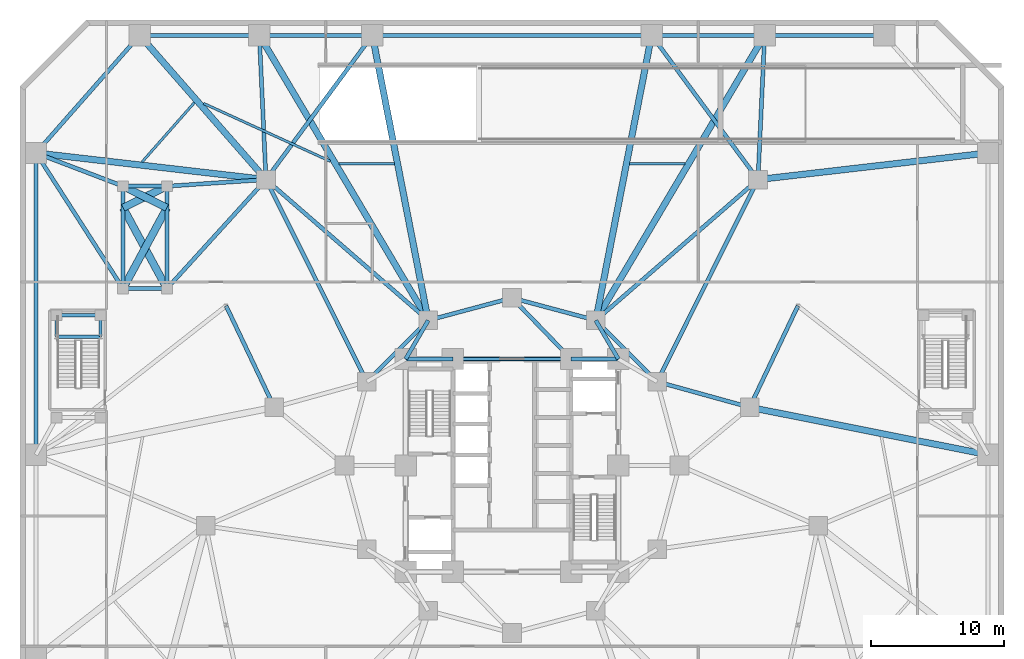
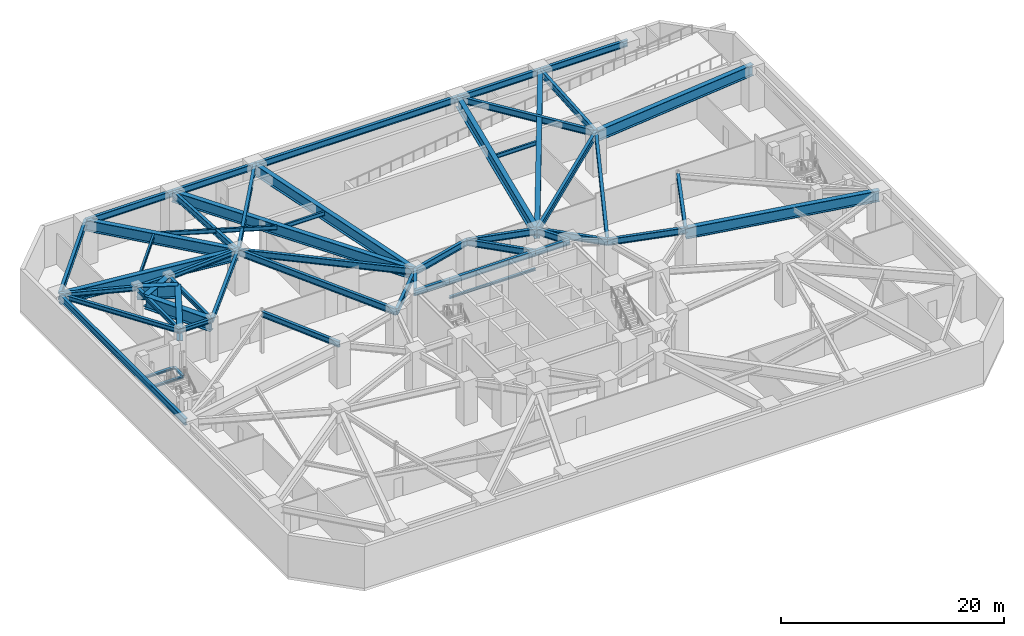
# One storey, part 9 of 18: 57 beams.
"""IFC4 building model written with IfcOpenShell, lengths in metres."""

from ifc_helpers import new_model, si_unit, direction, frame, origin, origin_2d, place, context, subcontext, project, spatial, i_section, extrude, material, material_profile, profile_set, type_object, element, save


model = new_model("IFC4")

# Units and contexts
model_context = context("Model", 3, precision=1e-05, world=origin(), true_north=direction((0.0, 1.0)))
body_context = subcontext(model_context, "Body", "Model", "MODEL_VIEW")
ifc_project = project(units=[si_unit("LENGTHUNIT", "METRE"), si_unit("AREAUNIT", "SQUARE_METRE"), si_unit("VOLUMEUNIT", "CUBIC_METRE"), si_unit("PLANEANGLEUNIT", "RADIAN"), si_unit("MASSUNIT", "GRAM", prefix="KILO")], contexts=[model_context])

# Site, building, storey
site_placement = place(None, origin())
site = spatial("IfcSite", under=ifc_project, at=site_placement, CompositionType="ELEMENT")
building_placement = place(site_placement, origin())
building = spatial("IfcBuilding", under=site, at=building_placement, Name="Terralouvre Media Tower", CompositionType="ELEMENT")
storey_placement = place(building_placement, frame((0.0, 0.0, -4.800048828125)))
storey = spatial("IfcBuildingStorey", under=building, at=storey_placement, Name="B01", CompositionType="ELEMENT", Elevation=-4.800048828125)

# Beams
ifc_material_1 = material(Name="Structural steel S355J2", Category="steel")
ifc_material_profile_1 = material_profile(ifc_material_1, i_section(OverallWidth=0.18994140625, OverallDepth=0.449951171875, WebThickness=0.009521484375, FlangeThickness=0.0146484375, at=origin_2d()), Name="IPE 450")
ifc_profile_set_1 = profile_set([ifc_material_profile_1], Name="Structural steel S355J2")
beam_type_1 = type_object("IfcBeamType", Name="Composite Floor Joist J-IPE450 (IPE 450)", PredefinedType="JOIST", material=ifc_profile_set_1)
for number, where, z_axis, x_axis, name in (
    (1, (13.008056640625, 22.702880859375, 4.324951171875), (-1.0, 0.0, 0.0), (0.0, -1.0, 0.0), "B01 Framing Beam JT-B01-11"),
    (2, (-8.8525390625, 22.702880859375, 4.324951171875), (-1.0, 0.0, 0.0), (0.0, -1.0, 0.0), "B01 Framing Beam JT-B01-13"),
):
    element("IfcBeam", number, at=place(storey_placement, frame(where, z_axis=z_axis, x_axis=x_axis)), inside=storey, type_object=beam_type_1, Name=name, PredefinedType="JOIST", context=body_context, shape_type="SweptSolid", body=[
        extrude(i_section(OverallWidth=0.18994140625, OverallDepth=0.449951171875, WebThickness=0.009521484375, FlangeThickness=0.0146484375, at=origin_2d()), origin(), (0.0, 0.0, 1.0), 4.155517578125),
    ])
beam_1_placement = place(storey_placement, frame((-13.66552734375, 22.87646484375, 4.324951171875), z_axis=(-0.909734891852, 0.415189627215, 0.0), x_axis=(-0.415189627215, -0.909734891852, 0.0)))
element("IfcBeam", 3, at=beam_1_placement, inside=storey, type_object=beam_type_1, Name="B01 Framing Beam JT-B01-14", PredefinedType="JOIST", context=body_context, shape_type="SweptSolid", body=[
    extrude(i_section(OverallWidth=0.18994140625, OverallDepth=0.449951171875, WebThickness=0.009521484375, FlangeThickness=0.0146484375, at=origin_2d()), origin(), (0.0, 0.0, 1.0), 10.4755859375),
])
beam_2_placement = place(storey_placement, frame((-23.8837890625, 27.287353515625, 4.324951171875), z_axis=(-0.661201375572, -0.750208464989, 0.0), x_axis=(0.750208464989, -0.661201375572, 0.0)))
element("IfcBeam", 4, at=beam_2_placement, inside=storey, type_object=beam_type_1, Name="B01 Framing Beam JT-B01-15", PredefinedType="JOIST", context=body_context, shape_type="SweptSolid", body=[
    extrude(i_section(OverallWidth=0.18994140625, OverallDepth=0.449951171875, WebThickness=0.009521484375, FlangeThickness=0.0146484375, at=origin_2d()), origin(), (0.0, 0.0, 1.0), 5.957763671875),
])
ifc_material_2 = material(Name="Structural steel S355J2", Category="steel")
ifc_material_profile_2 = material_profile(ifc_material_2, i_section(OverallWidth=0.239990234375, OverallDepth=0.239990234375, WebThickness=0.010009765625, FlangeThickness=0.01708984375, at=origin_2d()), Name="HEB 240")
ifc_profile_set_2 = profile_set([ifc_material_profile_2], Name="Structural steel S355J2")
beam_type_2 = type_object("IfcBeamType", Name="Opening Lintel Beam LN-240H (HEB 240)", PredefinedType="LINTEL", material=ifc_profile_set_2)
for number, where, z_axis, x_axis, name in (
    (5, (-34.25, 9.679931640625, 2.080078125), (0.0, 1.0, 0.0), (-1.0, 0.0, 0.0), "B01 ST-03 Intermediate Landing Support Beam 1W"),
    (6, (-30.949951171875, 9.679931640625, 2.080078125), (0.0, 1.0, 0.0), (-1.0, 0.0, 0.0), "B01 ST-03 Intermediate Landing Support Beam 1E"),
):
    element("IfcBeam", number, at=place(storey_placement, frame(where, z_axis=z_axis, x_axis=x_axis)), inside=storey, type_object=beam_type_2, Name=name, PredefinedType="LINTEL", context=body_context, shape_type="SweptSolid", body=[
        extrude(i_section(OverallWidth=0.239990234375, OverallDepth=0.239990234375, WebThickness=0.010009765625, FlangeThickness=0.01708984375, at=origin_2d()), origin(), (0.0, 0.0, 1.0), 1.6201171875),
    ])
for number, where, z_axis, x_axis, name in (
    (7, (-34.25, 9.679931640625, 2.080078125), (1.0, 0.0, 0.0), (0.0, 1.0, 0.0), "B01 ST-03 Intermediate Landing Support Beam 1S"),
    (8, (-34.25, 11.300048828125, 2.080078125), (1.0, 0.0, 0.0), (0.0, 1.0, 0.0), "B01 ST-03 Intermediate Landing Support Beam 1X"),
):
    element("IfcBeam", number, at=place(storey_placement, frame(where, z_axis=z_axis, x_axis=x_axis)), inside=storey, type_object=beam_type_2, Name=name, PredefinedType="LINTEL", context=body_context, shape_type="SweptSolid", body=[
        extrude(i_section(OverallWidth=0.239990234375, OverallDepth=0.239990234375, WebThickness=0.010009765625, FlangeThickness=0.01708984375, at=origin_2d()), origin(), (0.0, 0.0, 1.0), 3.300048828125),
    ])
beam_3_placement = place(storey_placement, frame((-4.449951171875, 8.0, 2.469970703125), z_axis=(1.0, 0.0, 0.0), x_axis=(0.0, 1.0, 0.0)))
element("IfcBeam", 9, at=beam_3_placement, inside=storey, type_object=beam_type_2, Name="B01 Core North Portal Lintel LN-02", PredefinedType="LINTEL", context=body_context, shape_type="SweptSolid", body=[
    extrude(i_section(OverallWidth=0.239990234375, OverallDepth=0.239990234375, WebThickness=0.010009765625, FlangeThickness=0.01708984375, at=origin_2d()), origin(), (0.0, 0.0, 1.0), 8.89990234375),
])
ifc_material_3 = material(Name="Structural steel S355J2", Category="steel")
ifc_material_profile_3 = material_profile(ifc_material_3, i_section(OverallWidth=0.300048828125, OverallDepth=0.449951171875, WebThickness=0.013916015625, FlangeThickness=0.02587890625, at=origin_2d()), Name="HEB 450")
ifc_profile_set_3 = profile_set([ifc_material_profile_3], Name="Structural steel S355J2")
beam_type_3 = type_object("IfcBeamType", Name="Primary Floor Girder B-HEB450 (HEB 450)", PredefinedType="BEAM", material=ifc_profile_set_3)
beam_4_placement = place(storey_placement, frame((-29.25, 13.300048828125, 4.324951171875), z_axis=(1.0, 0.0, 0.0), x_axis=(0.0, 1.0, 0.0)))
element("IfcBeam", 10, at=beam_4_placement, inside=storey, type_object=beam_type_3, Name="B01 Framing Beam BM-B01-PVST61", PredefinedType="BEAM", context=body_context, shape_type="SweptSolid", body=[
    extrude(i_section(OverallWidth=0.300048828125, OverallDepth=0.449951171875, WebThickness=0.013916015625, FlangeThickness=0.02587890625, at=origin_2d()), origin(), (0.0, 0.0, 1.0), 3.300048828125),
])
beam_5_placement = place(storey_placement, frame((-25.949951171875, 13.300048828125, 4.324951171875), z_axis=(0.0, 1.0, 0.0), x_axis=(-1.0, 0.0, 0.0)))
element("IfcBeam", 11, at=beam_5_placement, inside=storey, type_object=beam_type_3, Name="B01 Framing Beam BM-B01-PVST62", PredefinedType="BEAM", context=body_context, shape_type="SweptSolid", body=[
    extrude(i_section(OverallWidth=0.300048828125, OverallDepth=0.449951171875, WebThickness=0.013916015625, FlangeThickness=0.02587890625, at=origin_2d()), origin(), (0.0, 0.0, 1.0), 7.699951171875),
])
beam_6_placement = place(storey_placement, frame((-25.949951171875, 21.0, 4.324951171875), z_axis=(-1.0, 0.0, 0.0), x_axis=(0.0, -1.0, 0.0)))
element("IfcBeam", 12, at=beam_6_placement, inside=storey, type_object=beam_type_3, Name="B01 Framing Beam BM-B01-PVST63", PredefinedType="BEAM", context=body_context, shape_type="SweptSolid", body=[
    extrude(i_section(OverallWidth=0.300048828125, OverallDepth=0.449951171875, WebThickness=0.013916015625, FlangeThickness=0.02587890625, at=origin_2d()), origin(), (0.0, 0.0, 1.0), 3.300048828125),
])
beam_7_placement = place(storey_placement, frame((-29.25, 21.0, 4.324951171875), z_axis=(0.0, -1.0, 0.0), x_axis=(1.0, 0.0, 0.0)))
element("IfcBeam", 13, at=beam_7_placement, inside=storey, type_object=beam_type_3, Name="B01 Framing Beam BM-B01-PVST64", PredefinedType="BEAM", context=body_context, shape_type="SweptSolid", body=[
    extrude(i_section(OverallWidth=0.300048828125, OverallDepth=0.449951171875, WebThickness=0.013916015625, FlangeThickness=0.02587890625, at=origin_2d()), origin(), (0.0, 0.0, 1.0), 7.699951171875),
])
ifc_material_4 = material(Name="Structural steel S355J2", Category="steel")
ifc_material_profile_4 = material_profile(ifc_material_4, i_section(OverallWidth=0.300048828125, OverallDepth=0.5, WebThickness=0.014404296875, FlangeThickness=0.028076171875, at=origin_2d()), Name="HEB 500")
ifc_profile_set_4 = profile_set([ifc_material_profile_4], Name="Structural steel S355J2")
beam_type_4 = type_object("IfcBeamType", Name="Primary Floor Girder B-HEB500 (HEB 500)", PredefinedType="BEAM", material=ifc_profile_set_4)
beam_8_placement = place(storey_placement, frame((-29.25, 13.300048828125, 4.300048828125), z_axis=(-0.540345267359, 0.841443398003, 0.0), x_axis=(-0.841443398003, -0.540345267359, 0.0)))
element("IfcBeam", 14, at=beam_8_placement, inside=storey, type_object=beam_type_4, Name="B01 Framing Beam BM-B01-PVTST61", PredefinedType="BEAM", context=body_context, shape_type="SweptSolid", body=[
    extrude(i_section(OverallWidth=0.300048828125, OverallDepth=0.5, WebThickness=0.014404296875, FlangeThickness=0.028076171875, at=origin_2d()), origin(), (0.0, 0.0, 1.0), 12.1220703125),
])
beam_9_placement = place(storey_placement, frame((-25.949951171875, 13.300048828125, 4.300048828125), z_axis=(0.672447909493, 0.740144451454, 0.0), x_axis=(-0.740144451454, 0.672447909493, 0.0)))
element("IfcBeam", 15, at=beam_9_placement, inside=storey, type_object=beam_type_4, Name="B01 Framing Beam BM-B01-PVTST62", PredefinedType="BEAM", context=body_context, shape_type="SweptSolid", body=[
    extrude(i_section(OverallWidth=0.300048828125, OverallDepth=0.5, WebThickness=0.014404296875, FlangeThickness=0.028076171875, at=origin_2d()), origin(), (0.0, 0.0, 1.0), 11.078857421875),
])
beam_10_placement = place(storey_placement, frame((-25.949951171875, 21.0, 4.300048828125), z_axis=(0.997755399701, 0.066963888533, 0.0), x_axis=(-0.066963888533, 0.997755399701, 0.0)))
element("IfcBeam", 16, at=beam_10_placement, inside=storey, type_object=beam_type_4, Name="B01 Framing Beam BM-B01-PVTST63", PredefinedType="BEAM", context=body_context, shape_type="SweptSolid", body=[
    extrude(i_section(OverallWidth=0.300048828125, OverallDepth=0.5, WebThickness=0.014404296875, FlangeThickness=0.028076171875, at=origin_2d()), origin(), (0.0, 0.0, 1.0), 7.466796875),
])
beam_11_placement = place(storey_placement, frame((-29.25, 21.0, 4.300048828125), z_axis=(-0.934262475269, 0.356586072785, 0.0), x_axis=(-0.356586072785, -0.934262475269, 0.0)))
element("IfcBeam", 17, at=beam_11_placement, inside=storey, type_object=beam_type_4, Name="B01 Framing Beam BM-B01-PVTST64", PredefinedType="BEAM", context=body_context, shape_type="SweptSolid", body=[
    extrude(i_section(OverallWidth=0.300048828125, OverallDepth=0.5, WebThickness=0.014404296875, FlangeThickness=0.028076171875, at=origin_2d()), origin(), (0.0, 0.0, 1.0), 7.010986328125),
])
ifc_material_5 = material(Name="Structural steel S460M", Category="steel")
ifc_material_profile_5 = material_profile(ifc_material_5, i_section(OverallWidth=0.300048828125, OverallDepth=0.60009765625, WebThickness=0.015380859375, FlangeThickness=0.030029296875, at=origin_2d()), Name="HEB 600")
ifc_profile_set_5 = profile_set([ifc_material_profile_5], Name="Structural steel S460M")
beam_type_5 = type_object("IfcBeamType", Name="Primary Floor Girder B-HEB600 (HEB 600)", PredefinedType="BEAM", material=ifc_profile_set_5)
beam_12_placement = place(storey_placement, frame((8.0, 8.0, 4.25), z_axis=(-1.0, 0.0, 0.0), x_axis=(0.0, -1.0, 0.0)))
element("IfcBeam", 18, at=beam_12_placement, inside=storey, type_object=beam_type_5, Name="B01 Framing Beam BM-B01-CPR06", PredefinedType="BEAM", context=body_context, shape_type="SweptSolid", body=[
    extrude(i_section(OverallWidth=0.300048828125, OverallDepth=0.60009765625, WebThickness=0.015380859375, FlangeThickness=0.030029296875, at=origin_2d()), origin(), (0.0, 0.0, 1.0), 3.550048828125),
])
beam_13_placement = place(storey_placement, frame((4.449951171875, 8.0, 4.25), z_axis=(-1.0, 0.0, 0.0), x_axis=(0.0, -1.0, 0.0)))
element("IfcBeam", 19, at=beam_13_placement, inside=storey, type_object=beam_type_5, Name="B01 Framing Beam BM-B01-CPR07", PredefinedType="BEAM", context=body_context, shape_type="SweptSolid", body=[
    extrude(i_section(OverallWidth=0.300048828125, OverallDepth=0.60009765625, WebThickness=0.015380859375, FlangeThickness=0.030029296875, at=origin_2d()), origin(), (0.0, 0.0, 1.0), 8.89990234375),
])
beam_14_placement = place(storey_placement, frame((-4.449951171875, 8.0, 4.25), z_axis=(-1.0, 0.0, 0.0), x_axis=(0.0, -1.0, 0.0)))
element("IfcBeam", 20, at=beam_14_placement, inside=storey, type_object=beam_type_5, Name="B01 Framing Beam BM-B01-CPR08", PredefinedType="BEAM", context=body_context, shape_type="SweptSolid", body=[
    extrude(i_section(OverallWidth=0.300048828125, OverallDepth=0.60009765625, WebThickness=0.015380859375, FlangeThickness=0.030029296875, at=origin_2d()), origin(), (0.0, 0.0, 1.0), 3.550048828125),
])
for number, where, z_axis, x_axis, name in (
    (21, (-17.874755859375, 4.373291015625, 4.25), (-0.429303893562, 0.90316010041, 0.0), (-0.90316010041, -0.429303893562, 0.0), "B01 Framing Beam BM-B01-PIL3A"),
    (22, (17.874755859375, 4.373291015625, 4.25), (0.429303893562, 0.90316010041, 0.0), (-0.90316010041, 0.429303893562, 0.0), "B01 Framing Beam BM-B01-PIL4A"),
):
    element("IfcBeam", number, at=place(storey_placement, frame(where, z_axis=z_axis, x_axis=x_axis)), inside=storey, type_object=beam_type_5, Name=name, PredefinedType="BEAM", context=body_context, shape_type="SweptSolid", body=[
        extrude(i_section(OverallWidth=0.300048828125, OverallDepth=0.60009765625, WebThickness=0.015380859375, FlangeThickness=0.030029296875, at=origin_2d()), origin(), (0.0, 0.0, 1.0), 8.444580078125),
    ])
ifc_material_6 = material(Name="Structural steel S460M", Category="steel")
ifc_material_profile_6 = material_profile(ifc_material_6, i_section(OverallWidth=0.300048828125, OverallDepth=0.699951171875, WebThickness=0.01708984375, FlangeThickness=0.031982421875, at=origin_2d()), Name="HEB 700")
ifc_profile_set_6 = profile_set([ifc_material_profile_6], Name="Structural steel S460M")
beam_type_6 = type_object("IfcBeamType", Name="Primary Floor Girder B-HEB700 (HEB 700)", PredefinedType="BEAM", material=ifc_profile_set_6)
beam_15_placement = place(storey_placement, frame((10.911865234375, 6.300048828125, 4.199951171875), z_axis=(-0.707106781187, 0.707106781187, 0.0), x_axis=(-0.707106781187, -0.707106781187, 0.0)))
element("IfcBeam", 23, at=beam_15_placement, inside=storey, type_object=beam_type_6, Name="B01 Framing Beam BM-B01-MR07", PredefinedType="BEAM", context=body_context, shape_type="SweptSolid", body=[
    extrude(i_section(OverallWidth=0.300048828125, OverallDepth=0.699951171875, WebThickness=0.01708984375, FlangeThickness=0.031982421875, at=origin_2d()), origin(), (0.0, 0.0, 1.0), 6.52197265625),
])
for number, where, z_axis, x_axis, name in (
    (24, (6.300048828125, 10.911865234375, 4.199951171875), (-0.965920481897, 0.258838989821, 0.0), (-0.258838989821, -0.965920481897, 0.0), "B01 Framing Beam BM-B01-MR08"),
    (25, (0.0, 12.60009765625, 4.199951171875), (-0.965920481897, -0.258838989821, 0.0), (0.258838989821, -0.965920481897, 0.0), "B01 Framing Beam BM-B01-MR09"),
):
    element("IfcBeam", number, at=place(storey_placement, frame(where, z_axis=z_axis, x_axis=x_axis)), inside=storey, type_object=beam_type_6, Name=name, PredefinedType="BEAM", context=body_context, shape_type="SweptSolid", body=[
        extrude(i_section(OverallWidth=0.300048828125, OverallDepth=0.699951171875, WebThickness=0.01708984375, FlangeThickness=0.031982421875, at=origin_2d()), origin(), (0.0, 0.0, 1.0), 6.522216796875),
    ])
beam_16_placement = place(storey_placement, frame((-6.300048828125, 10.911865234375, 4.199951171875), z_axis=(-0.707106781187, -0.707106781187, 0.0), x_axis=(0.707106781187, -0.707106781187, 0.0)))
element("IfcBeam", 26, at=beam_16_placement, inside=storey, type_object=beam_type_6, Name="B01 Framing Beam BM-B01-MR10", PredefinedType="BEAM", context=body_context, shape_type="SweptSolid", body=[
    extrude(i_section(OverallWidth=0.300048828125, OverallDepth=0.699951171875, WebThickness=0.01708984375, FlangeThickness=0.031982421875, at=origin_2d()), origin(), (0.0, 0.0, 1.0), 6.52197265625),
])
beam_17_placement = place(storey_placement, frame((8.0, 8.0, 4.199951171875), z_axis=(-0.504172629717, 0.863602894532, 0.0), x_axis=(-0.863602894532, -0.504172629717, 0.0)))
element("IfcBeam", 27, at=beam_17_placement, inside=storey, type_object=beam_type_6, Name="B01 Framing Beam BM-B01-CM08", PredefinedType="BEAM", context=body_context, shape_type="SweptSolid", body=[
    extrude(i_section(OverallWidth=0.300048828125, OverallDepth=0.699951171875, WebThickness=0.01708984375, FlangeThickness=0.031982421875, at=origin_2d()), origin(), (0.0, 0.0, 1.0), 3.371826171875),
])
beam_18_placement = place(storey_placement, frame((4.449951171875, 8.0, 4.199951171875), z_axis=(-0.695279715726, 0.718739255155, 0.0), x_axis=(-0.718739255155, -0.695279715726, 0.0)))
element("IfcBeam", 28, at=beam_18_placement, inside=storey, type_object=beam_type_6, Name="B01 Framing Beam BM-B01-CM09", PredefinedType="BEAM", context=body_context, shape_type="SweptSolid", body=[
    extrude(i_section(OverallWidth=0.300048828125, OverallDepth=0.699951171875, WebThickness=0.01708984375, FlangeThickness=0.031982421875, at=origin_2d()), origin(), (0.0, 0.0, 1.0), 6.400146484375),
])
beam_19_placement = place(storey_placement, frame((-8.0, 8.0, 4.199951171875), z_axis=(0.504172629717, 0.863602894532, 0.0), x_axis=(-0.863602894532, 0.504172629717, 0.0)))
element("IfcBeam", 29, at=beam_19_placement, inside=storey, type_object=beam_type_6, Name="B01 Framing Beam BM-B01-CM10", PredefinedType="BEAM", context=body_context, shape_type="SweptSolid", body=[
    extrude(i_section(OverallWidth=0.300048828125, OverallDepth=0.699951171875, WebThickness=0.01708984375, FlangeThickness=0.031982421875, at=origin_2d()), origin(), (0.0, 0.0, 1.0), 3.371826171875),
])
beam_20_placement = place(storey_placement, frame((-6.300048828125, 10.911865234375, 4.199951171875), z_axis=(-0.755234116228, 0.65545513171, 0.0), x_axis=(-0.65545513171, -0.755234116228, 0.0)))
element("IfcBeam", 30, at=beam_20_placement, inside=storey, type_object=beam_type_6, Name="B01 Framing Beam BM-B01-PM19M1", PredefinedType="BEAM", context=body_context, shape_type="SweptSolid", body=[
    extrude(i_section(OverallWidth=0.300048828125, OverallDepth=0.699951171875, WebThickness=0.01708984375, FlangeThickness=0.031982421875, at=origin_2d()), origin(), (0.0, 0.0, 1.0), 16.15380859375),
])
beam_21_placement = place(storey_placement, frame((-10.911865234375, 6.300048828125, 4.199951171875), z_axis=(-0.446655925193, 0.894705808906, 0.0), x_axis=(-0.894705808906, -0.446655925193, 0.0)))
element("IfcBeam", 31, at=beam_21_placement, inside=storey, type_object=beam_type_6, Name="B01 Framing Beam BM-B01-PM19M2", PredefinedType="BEAM", context=body_context, shape_type="SweptSolid", body=[
    extrude(i_section(OverallWidth=0.300048828125, OverallDepth=0.699951171875, WebThickness=0.01708984375, FlangeThickness=0.031982421875, at=origin_2d()), origin(), (0.0, 0.0, 1.0), 16.98876953125),
])
beam_22_placement = place(storey_placement, frame((-18.5, 21.5, 4.199951171875), z_axis=(-0.046033681898, 0.998939888147, 0.0), x_axis=(-0.998939888147, -0.046033681898, 0.0)))
element("IfcBeam", 32, at=beam_22_placement, inside=storey, type_object=beam_type_6, Name="B01 Framing Beam BM-B01-PM19P1", PredefinedType="BEAM", context=body_context, shape_type="SweptSolid", body=[
    extrude(i_section(OverallWidth=0.300048828125, OverallDepth=0.699951171875, WebThickness=0.01708984375, FlangeThickness=0.031982421875, at=origin_2d()), origin(), (0.0, 0.0, 1.0), 10.861572265625),
])
beam_23_placement = place(storey_placement, frame((-18.5, 21.5, 4.199951171875), z_axis=(0.593448591359, 0.804871896276, 0.0), x_axis=(-0.804871896276, 0.593448591359, 0.0)))
element("IfcBeam", 33, at=beam_23_placement, inside=storey, type_object=beam_type_6, Name="B01 Framing Beam BM-B01-PM19P2", PredefinedType="BEAM", context=body_context, shape_type="SweptSolid", body=[
    extrude(i_section(OverallWidth=0.300048828125, OverallDepth=0.699951171875, WebThickness=0.01708984375, FlangeThickness=0.031982421875, at=origin_2d()), origin(), (0.0, 0.0, 1.0), 13.48046875),
])
beam_24_placement = place(storey_placement, frame((6.300048828125, 10.911865234375, 4.199951171875), z_axis=(0.755234116228, 0.65545513171, 0.0), x_axis=(-0.65545513171, 0.755234116228, 0.0)))
element("IfcBeam", 34, at=beam_24_placement, inside=storey, type_object=beam_type_6, Name="B01 Framing Beam BM-B01-PM20M1", PredefinedType="BEAM", context=body_context, shape_type="SweptSolid", body=[
    extrude(i_section(OverallWidth=0.300048828125, OverallDepth=0.699951171875, WebThickness=0.01708984375, FlangeThickness=0.031982421875, at=origin_2d()), origin(), (0.0, 0.0, 1.0), 16.15380859375),
])
beam_25_placement = place(storey_placement, frame((10.911865234375, 6.300048828125, 4.199951171875), z_axis=(0.446655925193, 0.894705808906, 0.0), x_axis=(-0.894705808906, 0.446655925193, 0.0)))
element("IfcBeam", 35, at=beam_25_placement, inside=storey, type_object=beam_type_6, Name="B01 Framing Beam BM-B01-PM20M2", PredefinedType="BEAM", context=body_context, shape_type="SweptSolid", body=[
    extrude(i_section(OverallWidth=0.300048828125, OverallDepth=0.699951171875, WebThickness=0.01708984375, FlangeThickness=0.031982421875, at=origin_2d()), origin(), (0.0, 0.0, 1.0), 16.98876953125),
])
beam_26_placement = place(storey_placement, frame((18.5, 21.5, 4.199951171875), z_axis=(0.046033681898, 0.998939888147, 0.0), x_axis=(-0.998939888147, 0.046033681898, 0.0)))
element("IfcBeam", 36, at=beam_26_placement, inside=storey, type_object=beam_type_6, Name="B01 Framing Beam BM-B01-PM20P1", PredefinedType="BEAM", context=body_context, shape_type="SweptSolid", body=[
    extrude(i_section(OverallWidth=0.300048828125, OverallDepth=0.699951171875, WebThickness=0.01708984375, FlangeThickness=0.031982421875, at=origin_2d()), origin(), (0.0, 0.0, 1.0), 10.861572265625),
])
beam_27_placement = place(storey_placement, frame((18.5, 21.5, 4.199951171875), z_axis=(-0.593448591359, 0.804871896276, 0.0), x_axis=(-0.804871896276, -0.593448591359, 0.0)))
element("IfcBeam", 37, at=beam_27_placement, inside=storey, type_object=beam_type_6, Name="B01 Framing Beam BM-B01-PM20P2", PredefinedType="BEAM", context=body_context, shape_type="SweptSolid", body=[
    extrude(i_section(OverallWidth=0.300048828125, OverallDepth=0.699951171875, WebThickness=0.01708984375, FlangeThickness=0.031982421875, at=origin_2d()), origin(), (0.0, 0.0, 1.0), 13.48046875),
])
beam_28_placement = place(storey_placement, frame((10.911865234375, 6.300048828125, 4.199951171875), z_axis=(0.963780816717, -0.266695589254, 0.0), x_axis=(0.266695589254, 0.963780816717, 0.0)))
element("IfcBeam", 38, at=beam_28_placement, inside=storey, type_object=beam_type_6, Name="B01 Framing Beam BM-B01-PM22M2", PredefinedType="BEAM", context=body_context, shape_type="SweptSolid", body=[
    extrude(i_section(OverallWidth=0.300048828125, OverallDepth=0.699951171875, WebThickness=0.01708984375, FlangeThickness=0.031982421875, at=origin_2d()), origin(), (0.0, 0.0, 1.0), 7.224609375),
])
beam_29_placement = place(storey_placement, frame((28.0, 32.35009765625, 4.199951171875), z_axis=(-1.0, 0.0, 0.0), x_axis=(0.0, -1.0, 0.0)))
element("IfcBeam", 39, at=beam_29_placement, inside=storey, type_object=beam_type_6, Name="B01 Framing Beam BM-B01-PR11", PredefinedType="BEAM", context=body_context, shape_type="SweptSolid", body=[
    extrude(i_section(OverallWidth=0.300048828125, OverallDepth=0.699951171875, WebThickness=0.01708984375, FlangeThickness=0.031982421875, at=origin_2d()), origin(), (0.0, 0.0, 1.0), 9.0),
])
beam_30_placement = place(storey_placement, frame((19.0, 32.35009765625, 4.199951171875), z_axis=(-1.0, 0.0, 0.0), x_axis=(0.0, -1.0, 0.0)))
element("IfcBeam", 40, at=beam_30_placement, inside=storey, type_object=beam_type_6, Name="B01 Framing Beam BM-B01-PR12", PredefinedType="BEAM", context=body_context, shape_type="SweptSolid", body=[
    extrude(i_section(OverallWidth=0.300048828125, OverallDepth=0.699951171875, WebThickness=0.01708984375, FlangeThickness=0.031982421875, at=origin_2d()), origin(), (0.0, 0.0, 1.0), 8.5),
])
beam_31_placement = place(storey_placement, frame((10.5, 32.35009765625, 4.199951171875), z_axis=(-1.0, 0.0, 0.0), x_axis=(0.0, -1.0, 0.0)))
element("IfcBeam", 41, at=beam_31_placement, inside=storey, type_object=beam_type_6, Name="B01 Framing Beam BM-B01-PR13", PredefinedType="BEAM", context=body_context, shape_type="SweptSolid", body=[
    extrude(i_section(OverallWidth=0.300048828125, OverallDepth=0.699951171875, WebThickness=0.01708984375, FlangeThickness=0.031982421875, at=origin_2d()), origin(), (0.0, 0.0, 1.0), 21.0),
])
beam_32_placement = place(storey_placement, frame((-10.5, 32.35009765625, 4.199951171875), z_axis=(-1.0, 0.0, 0.0), x_axis=(0.0, -1.0, 0.0)))
element("IfcBeam", 42, at=beam_32_placement, inside=storey, type_object=beam_type_6, Name="B01 Framing Beam BM-B01-PR14", PredefinedType="BEAM", context=body_context, shape_type="SweptSolid", body=[
    extrude(i_section(OverallWidth=0.300048828125, OverallDepth=0.699951171875, WebThickness=0.01708984375, FlangeThickness=0.031982421875, at=origin_2d()), origin(), (0.0, 0.0, 1.0), 8.5),
])
beam_33_placement = place(storey_placement, frame((-19.0, 32.35009765625, 4.199951171875), z_axis=(-1.0, 0.0, 0.0), x_axis=(0.0, -1.0, 0.0)))
element("IfcBeam", 43, at=beam_33_placement, inside=storey, type_object=beam_type_6, Name="B01 Framing Beam BM-B01-PR15", PredefinedType="BEAM", context=body_context, shape_type="SweptSolid", body=[
    extrude(i_section(OverallWidth=0.300048828125, OverallDepth=0.699951171875, WebThickness=0.01708984375, FlangeThickness=0.031982421875, at=origin_2d()), origin(), (0.0, 0.0, 1.0), 9.0),
])
beam_34_placement = place(storey_placement, frame((-28.0, 32.35009765625, 4.199951171875), z_axis=(-0.661199207896, -0.75021037548, 0.0), x_axis=(0.75021037548, -0.661199207896, 0.0)))
element("IfcBeam", 44, at=beam_34_placement, inside=storey, type_object=beam_type_6, Name="B01 Framing Beam BM-B01-PR16", PredefinedType="BEAM", context=body_context, shape_type="SweptSolid", body=[
    extrude(i_section(OverallWidth=0.300048828125, OverallDepth=0.699951171875, WebThickness=0.01708984375, FlangeThickness=0.031982421875, at=origin_2d()), origin(), (0.0, 0.0, 1.0), 11.796875),
])
beam_35_placement = place(storey_placement, frame((-35.800048828125, 23.5, 4.199951171875), z_axis=(0.0, -1.0, 0.0), x_axis=(1.0, 0.0, 0.0)))
element("IfcBeam", 45, at=beam_35_placement, inside=storey, type_object=beam_type_6, Name="B01 Framing Beam BM-B01-PR17", PredefinedType="BEAM", context=body_context, shape_type="SweptSolid", body=[
    extrude(i_section(OverallWidth=0.300048828125, OverallDepth=0.699951171875, WebThickness=0.01708984375, FlangeThickness=0.031982421875, at=origin_2d()), origin(), (0.0, 0.0, 1.0), 22.699951171875),
])
ifc_material_7 = material(Name="Structural steel S460M", Category="steel")
ifc_material_profile_7 = material_profile(ifc_material_7, i_section(OverallWidth=0.47998046875, OverallDepth=1.199951171875, WebThickness=0.028076171875, FlangeThickness=0.044921875, at=origin_2d()), Name="PG 1200x480")
ifc_profile_set_7 = profile_set([ifc_material_profile_7], Name="Structural steel S460M")
beam_type_7 = type_object("IfcBeamType", Name="Primary Floor Girder B-PG1200 (PG 1200x480)", PredefinedType="BEAM", material=ifc_profile_set_7)
beam_36_placement = place(storey_placement, frame((17.874755859375, 4.373291015625, 3.949951171875), z_axis=(0.980704802412, -0.19549447697, 0.0), x_axis=(0.19549447697, 0.980704802412, 0.0)))
element("IfcBeam", 46, at=beam_36_placement, inside=storey, type_object=beam_type_7, Name="B01 Framing Beam BM-B01-RD09", PredefinedType="BEAM", context=body_context, shape_type="SweptSolid", body=[
    extrude(i_section(OverallWidth=0.47998046875, OverallDepth=1.199951171875, WebThickness=0.028076171875, FlangeThickness=0.044921875, at=origin_2d()), origin(), (0.0, 0.0, 1.0), 18.278076171875),
])
beam_37_placement = place(storey_placement, frame((18.5, 21.5, 3.949951171875), z_axis=(0.993383801046, 0.114841733791, 0.0), x_axis=(-0.114841733791, 0.993383801046, 0.0)))
element("IfcBeam", 47, at=beam_37_placement, inside=storey, type_object=beam_type_7, Name="B01 Framing Beam BM-B01-RD10", PredefinedType="BEAM", context=body_context, shape_type="SweptSolid", body=[
    extrude(i_section(OverallWidth=0.47998046875, OverallDepth=1.199951171875, WebThickness=0.028076171875, FlangeThickness=0.044921875, at=origin_2d()), origin(), (0.0, 0.0, 1.0), 17.415283203125),
])
beam_38_placement = place(storey_placement, frame((6.300048828125, 10.911865234375, 3.949951171875), z_axis=(0.509678035934, 0.860365212969, 0.0), x_axis=(-0.860365212969, 0.509678035934, 0.0)))
element("IfcBeam", 48, at=beam_38_placement, inside=storey, type_object=beam_type_7, Name="B01 Framing Beam BM-B01-RD12", PredefinedType="BEAM", context=body_context, shape_type="SweptSolid", body=[
    extrude(i_section(OverallWidth=0.47998046875, OverallDepth=1.199951171875, WebThickness=0.028076171875, FlangeThickness=0.044921875, at=origin_2d()), origin(), (0.0, 0.0, 1.0), 24.91748046875),
])
for number, where, z_axis, x_axis, name in (
    (49, (6.300048828125, 10.911865234375, 3.949951171875), (0.192254717948, 0.981345058288, 0.0), (-0.981345058288, 0.192254717948, 0.0), "B01 Framing Beam BM-B01-RD13"),
    (50, (-6.300048828125, 10.911865234375, 3.949951171875), (-0.192254717948, 0.981345058288, 0.0), (-0.981345058288, -0.192254717948, 0.0), "B01 Framing Beam BM-B01-RD14"),
):
    element("IfcBeam", number, at=place(storey_placement, frame(where, z_axis=z_axis, x_axis=x_axis)), inside=storey, type_object=beam_type_7, Name=name, PredefinedType="BEAM", context=body_context, shape_type="SweptSolid", body=[
        extrude(i_section(OverallWidth=0.47998046875, OverallDepth=1.199951171875, WebThickness=0.028076171875, FlangeThickness=0.044921875, at=origin_2d()), origin(), (0.0, 0.0, 1.0), 21.845703125),
    ])
beam_39_placement = place(storey_placement, frame((-6.300048828125, 10.911865234375, 3.949951171875), z_axis=(-0.509678035934, 0.860365212969, 0.0), x_axis=(-0.860365212969, -0.509678035934, 0.0)))
element("IfcBeam", 51, at=beam_39_placement, inside=storey, type_object=beam_type_7, Name="B01 Framing Beam BM-B01-RD15", PredefinedType="BEAM", context=body_context, shape_type="SweptSolid", body=[
    extrude(i_section(OverallWidth=0.47998046875, OverallDepth=1.199951171875, WebThickness=0.028076171875, FlangeThickness=0.044921875, at=origin_2d()), origin(), (0.0, 0.0, 1.0), 24.91748046875),
])
beam_40_placement = place(storey_placement, frame((-18.5, 21.5, 3.949951171875), z_axis=(-0.658746675471, 0.752364816799, 0.0), x_axis=(-0.752364816799, -0.658746675471, 0.0)))
element("IfcBeam", 52, at=beam_40_placement, inside=storey, type_object=beam_type_7, Name="B01 Framing Beam BM-B01-RD16", PredefinedType="BEAM", context=body_context, shape_type="SweptSolid", body=[
    extrude(i_section(OverallWidth=0.47998046875, OverallDepth=1.199951171875, WebThickness=0.028076171875, FlangeThickness=0.044921875, at=origin_2d()), origin(), (0.0, 0.0, 1.0), 14.42138671875),
])
beam_41_placement = place(storey_placement, frame((-18.5, 21.5, 3.949951171875), z_axis=(-0.993383801046, 0.114841733791, 0.0), x_axis=(-0.114841733791, -0.993383801046, 0.0)))
element("IfcBeam", 53, at=beam_41_placement, inside=storey, type_object=beam_type_7, Name="B01 Framing Beam BM-B01-RD17", PredefinedType="BEAM", context=body_context, shape_type="SweptSolid", body=[
    extrude(i_section(OverallWidth=0.47998046875, OverallDepth=1.199951171875, WebThickness=0.028076171875, FlangeThickness=0.044921875, at=origin_2d()), origin(), (0.0, 0.0, 1.0), 17.415283203125),
])
ifc_material_8 = material(Name="Structural steel S460M", Category="steel")
ifc_material_profile_8 = material_profile(ifc_material_8, i_section(OverallWidth=0.56005859375, OverallDepth=1.39990234375, WebThickness=0.031982421875, FlangeThickness=0.050048828125, at=origin_2d()), Name="TG 1400x560")
ifc_profile_set_8 = profile_set([ifc_material_profile_8], Name="Structural steel S460M")
beam_type_8 = type_object("IfcBeamType", Name="Welded Transfer Girder TG-1400 (TG 1400x560)", PredefinedType="USERDEFINED", material=ifc_profile_set_8)
beam_42_placement = place(storey_placement, frame((-29.25, 19.3798828125, 3.85009765625), z_axis=(0.897657579908, 0.440693622865, 0.0), x_axis=(-0.440693622865, 0.897657579908, 0.0)))
element("IfcBeam", 54, at=beam_42_placement, inside=storey, type_object=beam_type_8, Name="B01 Framing Beam BM-B01-TR01S1", ObjectType="TRANSFER GIRDER", PredefinedType="USERDEFINED", context=body_context, shape_type="SweptSolid", body=[
    extrude(i_section(OverallWidth=0.56005859375, OverallDepth=1.39990234375, WebThickness=0.031982421875, FlangeThickness=0.050048828125, at=origin_2d()), origin(), (0.0, 0.0, 1.0), 3.67626953125),
])
beam_43_placement = place(storey_placement, frame((-29.25, 19.3798828125, 3.85009765625), z_axis=(0.477043574732, -0.878879643527, 0.0), x_axis=(0.878879643527, 0.477043574732, 0.0)))
element("IfcBeam", 55, at=beam_43_placement, inside=storey, type_object=beam_type_8, Name="B01 Framing Beam BM-B01-TR01S2", ObjectType="TRANSFER GIRDER", PredefinedType="USERDEFINED", context=body_context, shape_type="SweptSolid", body=[
    extrude(i_section(OverallWidth=0.56005859375, OverallDepth=1.39990234375, WebThickness=0.031982421875, FlangeThickness=0.050048828125, at=origin_2d()), origin(), (0.0, 0.0, 1.0), 6.917724609375),
])
beam_44_placement = place(storey_placement, frame((-25.949951171875, 19.3798828125, 3.85009765625), z_axis=(-0.897657579908, 0.440693622865, 0.0), x_axis=(-0.440693622865, -0.897657579908, 0.0)))
element("IfcBeam", 56, at=beam_44_placement, inside=storey, type_object=beam_type_8, Name="B01 Framing Beam BM-B01-TR02S1", ObjectType="TRANSFER GIRDER", PredefinedType="USERDEFINED", context=body_context, shape_type="SweptSolid", body=[
    extrude(i_section(OverallWidth=0.56005859375, OverallDepth=1.39990234375, WebThickness=0.031982421875, FlangeThickness=0.050048828125, at=origin_2d()), origin(), (0.0, 0.0, 1.0), 3.67626953125),
])
beam_45_placement = place(storey_placement, frame((-25.949951171875, 19.3798828125, 3.85009765625), z_axis=(-0.477043574732, -0.878879643527, 0.0), x_axis=(0.878879643527, -0.477043574732, 0.0)))
element("IfcBeam", 57, at=beam_45_placement, inside=storey, type_object=beam_type_8, Name="B01 Framing Beam BM-B01-TR02S2", ObjectType="TRANSFER GIRDER", PredefinedType="USERDEFINED", context=body_context, shape_type="SweptSolid", body=[
    extrude(i_section(OverallWidth=0.56005859375, OverallDepth=1.39990234375, WebThickness=0.031982421875, FlangeThickness=0.050048828125, at=origin_2d()), origin(), (0.0, 0.0, 1.0), 6.917724609375),
])

save(model, "model.ifc")
